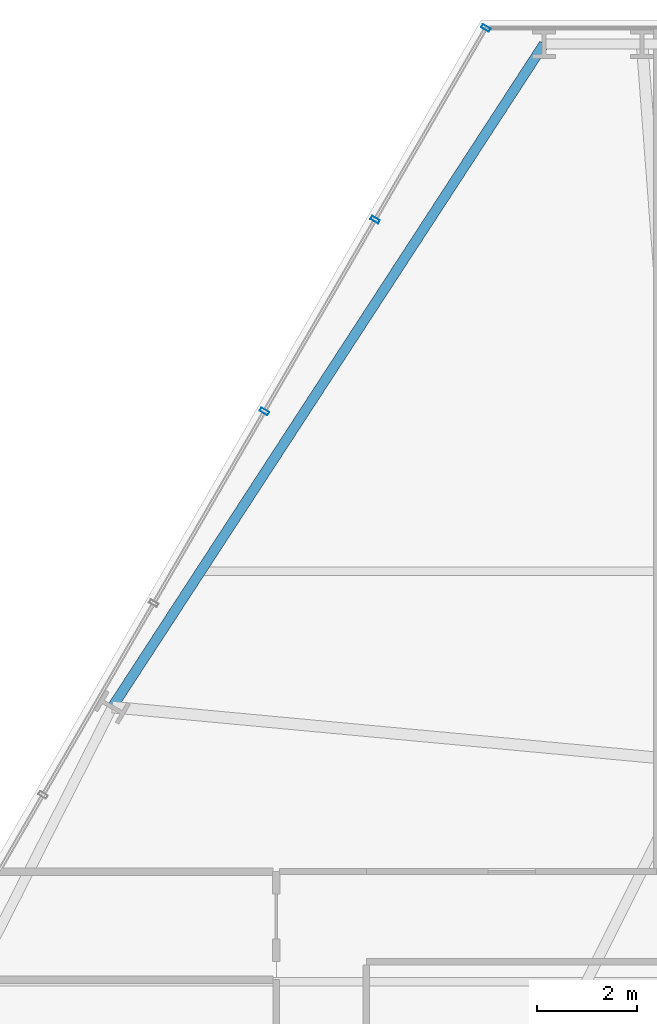
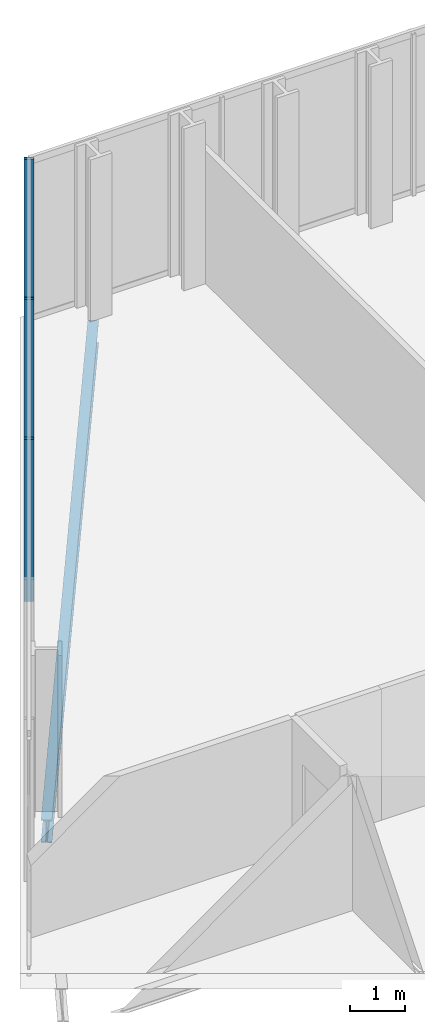
# One storey, part 20 of 32: 3 members, 1 beam, 1 element without a shape of its own.
"""IFC4 building model written with IfcOpenShell, lengths in metres."""

from ifc_helpers import new_model, si_unit, direction, frame, origin, origin_2d, place, context, subcontext, project, spatial, hollow_rectangle, i_section, extrude, material, layer, layer_set, material_profile, profile_set, type_object, element, aggregate, save


model = new_model("IFC4")

# Units and contexts
model_context = context("Model", 3, precision=1e-05, world=origin(), true_north=direction((0.0, 1.0)))
body_context = subcontext(model_context, "Body", "Model", "MODEL_VIEW")
ifc_project = project(units=[si_unit("LENGTHUNIT", "METRE"), si_unit("AREAUNIT", "SQUARE_METRE"), si_unit("VOLUMEUNIT", "CUBIC_METRE"), si_unit("PLANEANGLEUNIT", "RADIAN"), si_unit("MASSUNIT", "GRAM", prefix="KILO")], contexts=[model_context])

# Site, building, storey
site_placement = place(None, origin())
site = spatial("IfcSite", under=ifc_project, at=site_placement, CompositionType="ELEMENT")
building_placement = place(site_placement, origin())
building = spatial("IfcBuilding", under=site, at=building_placement, Name="Ndaravel Arena Tower", CompositionType="ELEMENT")
storey_placement = place(building_placement, frame((0.0, 0.0, 51.199951171875)))
storey = spatial("IfcBuildingStorey", under=building, at=storey_placement, Name="L10", CompositionType="ELEMENT", Elevation=51.199951171875)

# Beam
ifc_material_1 = material(Name="Steel S355", Category="steel")
ifc_material_profile_1 = material_profile(ifc_material_1, i_section(OverallWidth=0.199951171875, OverallDepth=0.5, WebThickness=0.01025390625, FlangeThickness=0.01611328125, FilletRadius=0.02099609375, at=origin_2d()), Name="IPE 500")
ifc_profile_set_1 = profile_set([ifc_material_profile_1], Name="Steel S355")
beam_type = type_object("IfcBeamType", Name="BM-SPAN-IPE500", PredefinedType="SPANDREL", material=ifc_profile_set_1)
beam_placement = place(storey_placement, frame((35.14990234375, 45.531494140625, -0.469970703125), z_axis=(-0.545711257889, -0.837973282995, 0.0), x_axis=(0.837973282995, -0.545711257889, 0.0)))
element("IfcBeam", 1, at=beam_placement, inside=storey, type_object=beam_type, Name="L10 Perimeter Spandrel Beam SP-18", PredefinedType="SPANDREL", context=body_context, shape_type="SweptSolid", body=[
    extrude(i_section(OverallWidth=0.199951171875, OverallDepth=0.5, WebThickness=0.01025390625, FlangeThickness=0.01611328125, FilletRadius=0.02099609375, at=origin_2d()), origin(), (0.0, 0.0, 1.0), 15.807373046875),
])

# Curtain wall, members
ifc_material_2 = material(Name="Aluminium", Category="aluminium")
ifc_layer = layer(ifc_material_2, 0.179931640625)
ifc_layer_set = layer_set([ifc_layer], Name="Aluminium")
curtain_wall_type = type_object("IfcCurtainWallType", Name="CW-SYS-03", PredefinedType="NOTDEFINED", material=ifc_layer_set)
curtain_wall_placement = place(storey_placement, origin())
curtain_wall = element("IfcCurtainWall", 2, at=curtain_wall_placement, inside=storey, type_object=curtain_wall_type, Name="L10 Faceted Crystal Curtain Wall CW-L10-E05", PredefinedType="NOTDEFINED")
ifc_material_3 = material(Name="Aluminium", Category="aluminium")
ifc_material_profile_2 = material_profile(ifc_material_3, hollow_rectangle(XDim=0.074951171875, YDim=0.179931640625, WallThickness=0.00390625, at=origin_2d()), Name="CW MULLION 75x180x4")
ifc_profile_set_2 = profile_set([ifc_material_profile_2], Name="Aluminium")
member_type = type_object("IfcMemberType", Name="MEM-CW-MUL180", PredefinedType="MULLION", material=ifc_profile_set_2)
member_1_placement = place(storey_placement, frame((33.98681640625, 45.851318359375, 0.0), z_axis=(0.0, 0.0, 1.0), x_axis=(-0.5, -0.866025403784, 0.0)))
member_1 = element("IfcMember", 3, at=member_1_placement, type_object=member_type, Name="CW-L10-E05 Mullion 00", PredefinedType="MULLION", context=body_context, shape_type="SweptSolid", body=[
    extrude(hollow_rectangle(XDim=0.074951171875, YDim=0.179931640625, WallThickness=0.00390625, at=origin_2d()), origin(), (0.0, 0.0, 1.0), 3.580078125),
])
member_2_placement = place(storey_placement, frame((31.775390625, 42.02099609375, 0.0), z_axis=(0.0, 0.0, 1.0), x_axis=(-0.5, -0.866025403784, 0.0)))
member_2 = element("IfcMember", 4, at=member_2_placement, type_object=member_type, Name="CW-L10-E05 Mullion 01", PredefinedType="MULLION", context=body_context, shape_type="SweptSolid", body=[
    extrude(hollow_rectangle(XDim=0.074951171875, YDim=0.179931640625, WallThickness=0.00390625, at=origin_2d()), origin(), (0.0, 0.0, 1.0), 3.580078125),
])
member_3_placement = place(storey_placement, frame((29.56396484375, 38.19091796875, 0.0), z_axis=(0.0, 0.0, 1.0), x_axis=(-0.5, -0.866025403784, 0.0)))
member_3 = element("IfcMember", 5, at=member_3_placement, type_object=member_type, Name="CW-L10-E05 Mullion 02", PredefinedType="MULLION", context=body_context, shape_type="SweptSolid", body=[
    extrude(hollow_rectangle(XDim=0.074951171875, YDim=0.179931640625, WallThickness=0.00390625, at=origin_2d()), origin(), (0.0, 0.0, 1.0), 3.580078125),
])
aggregate(curtain_wall, [member_1, member_2, member_3])

save(model, "model.ifc")
